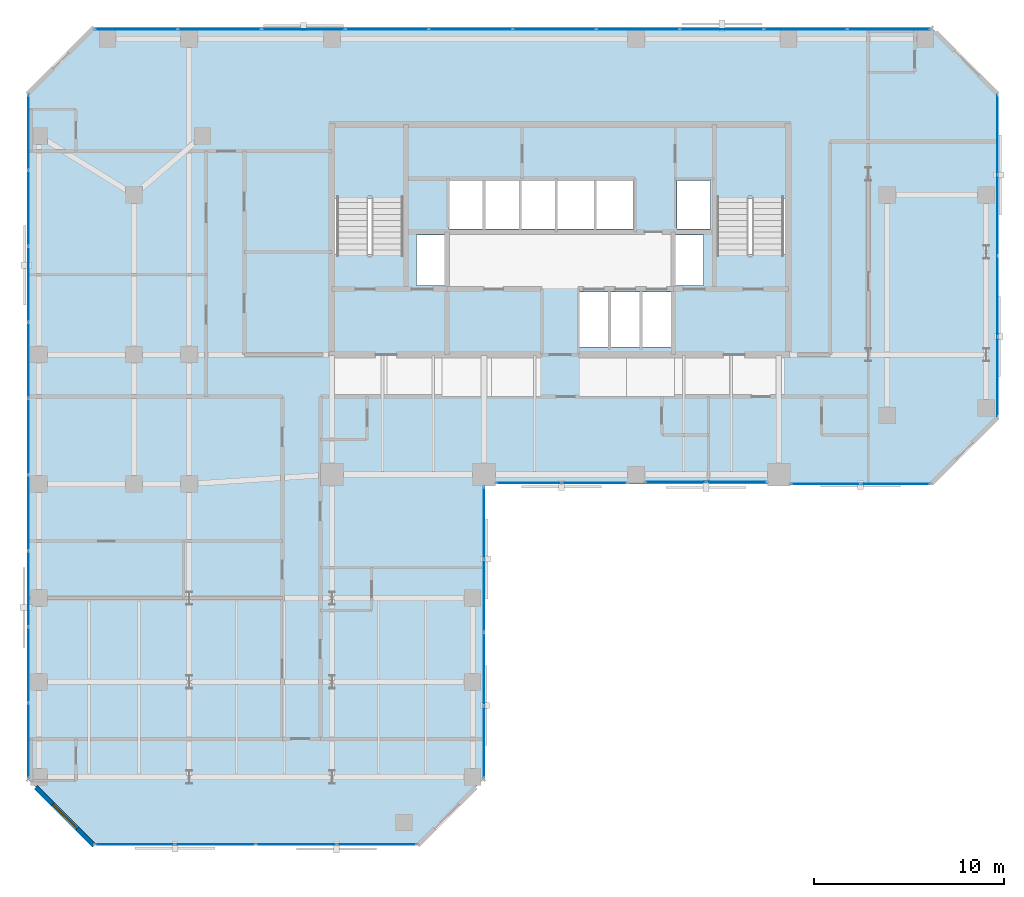
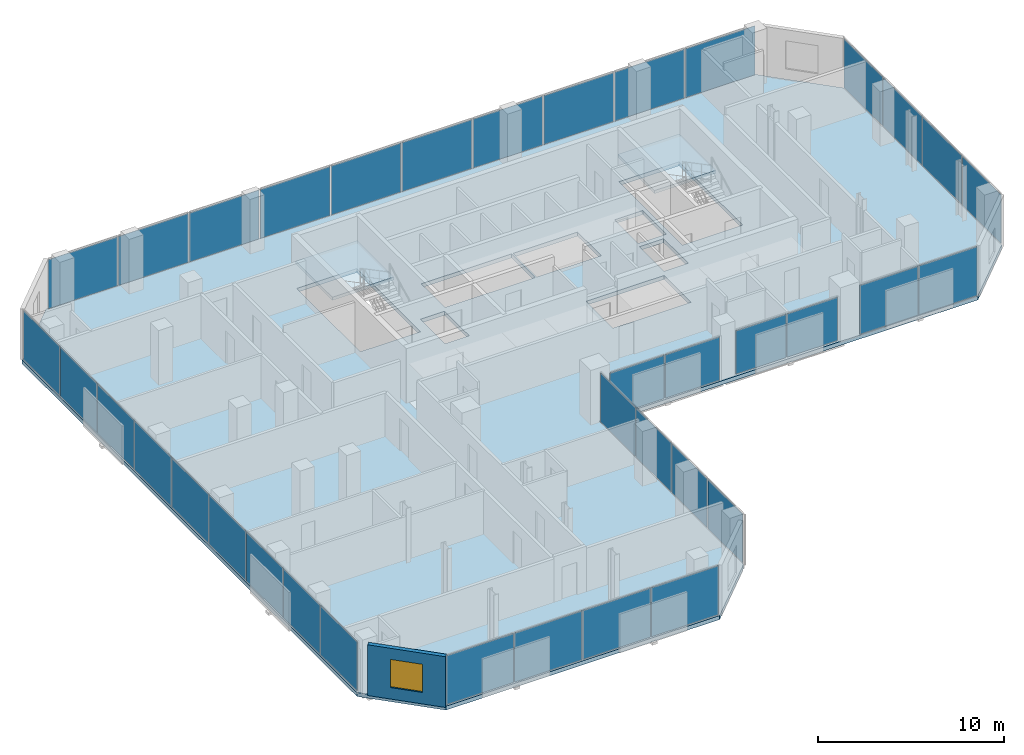
# One storey, part 27 of 33: 37 plates, 3 slabs, 1 wall, 1 window, 1 opening, 10 elements without a shape of their own.
"""IFC4 building model written with IfcOpenShell, lengths in metres."""

from ifc_helpers import new_model, si_unit, direction, frame, frame_2d, origin, origin_2d, place, context, subcontext, project, spatial, polyline, rectangle, outline, extrude, material, layer, layer_set, type_object, element, fill, aggregate, save


model = new_model("IFC4")

# Units and contexts
model_context = context("Model", 3, precision=1e-05, world=origin(), true_north=direction((0.0, 1.0)))
body_context = subcontext(model_context, "Body", "Model", "MODEL_VIEW")
ifc_project = project(units=[si_unit("LENGTHUNIT", "METRE"), si_unit("AREAUNIT", "SQUARE_METRE"), si_unit("VOLUMEUNIT", "CUBIC_METRE"), si_unit("PLANEANGLEUNIT", "RADIAN"), si_unit("MASSUNIT", "GRAM", prefix="KILO")], contexts=[model_context])

# Site, building, storey
site_placement = place(None, origin())
site = spatial("IfcSite", under=ifc_project, at=site_placement, CompositionType="ELEMENT")
building_placement = place(site_placement, origin())
building = spatial("IfcBuilding", under=site, at=building_placement, Name="Catumbela Crestline Tower", CompositionType="ELEMENT")
storey_placement = place(building_placement, frame((0.0, 0.0, 100.8)))
storey = spatial("IfcBuildingStorey", under=building, at=storey_placement, Name="L25", CompositionType="ELEMENT", Elevation=100.8)

# Curtain wall, plates
ifc_material_1 = material(Name="Aluminium alloy AW-6060-T66", Category="aluminium")
ifc_layer_1 = layer(ifc_material_1, 0.18, Name="Aluminium alloy AW-6060-T66")
ifc_layer_set_1 = layer_set([ifc_layer_1], Name="Aluminium alloy AW-6060-T66")
curtain_wall_type = type_object("IfcCurtainWallType", Name="CWU-Z2", PredefinedType="USERDEFINED", material=ifc_layer_set_1)
curtain_wall_1_placement = place(storey_placement, origin())
curtain_wall_1 = element("IfcCurtainWall", 1, at=curtain_wall_1_placement, inside=storey, type_object=curtain_wall_type, Name="L25 Unitised Curtain Wall CW-L25-E0S1", ObjectType="UNITISED", PredefinedType="USERDEFINED")
ifc_material_2 = material(Name="Low-E laminated solar-control double glazing", Category="glass")
ifc_layer_2 = layer(ifc_material_2, 0.036, Name="Low-E laminated solar-control double glazing")
ifc_layer_set_2 = layer_set([ifc_layer_2], Name="Low-E laminated solar-control double glazing")
plate_type = type_object("IfcPlateType", Name="PNL-GLZ-Z2", PredefinedType="CURTAIN_PANEL", material=ifc_layer_set_2)
plate_1_placement = place(storey_placement, frame((5.6412, 5.05, 0.06), z_axis=(0.0, 0.0, 1.0), x_axis=(1.0, 0.0, 0.0)))
plate_1 = element("IfcPlate", 2, at=plate_1_placement, type_object=plate_type, Name="CWU-Z2 panel 1.1", PredefinedType="CURTAIN_PANEL", context=body_context, shape_type="SweptSolid", body=[
    extrude(rectangle(XDim=4.1525, YDim=0.034, at=origin_2d()), origin(), (0.0, 0.0, 1.0), 3.21),
])
plate_2_placement = place(storey_placement, frame((9.875, 5.05, 0.06), z_axis=(0.0, 0.0, 1.0), x_axis=(1.0, 0.0, 0.0)))
plate_2 = element("IfcPlate", 3, at=plate_2_placement, type_object=plate_type, Name="CWU-Z2 panel 2.1", PredefinedType="CURTAIN_PANEL", context=body_context, shape_type="SweptSolid", body=[
    extrude(rectangle(XDim=4.185, YDim=0.034, at=origin_2d()), origin(), (0.0, 0.0, 1.0), 3.21),
])
plate_3_placement = place(storey_placement, frame((14.125, 5.05, 0.06), z_axis=(0.0, 0.0, 1.0), x_axis=(1.0, 0.0, 0.0)))
plate_3 = element("IfcPlate", 4, at=plate_3_placement, type_object=plate_type, Name="CWU-Z2 panel 3.1", PredefinedType="CURTAIN_PANEL", context=body_context, shape_type="SweptSolid", body=[
    extrude(rectangle(XDim=4.185, YDim=0.034, at=origin_2d()), origin(), (0.0, 0.0, 1.0), 3.21),
])
plate_4_placement = place(storey_placement, frame((18.3588, 5.05, 0.06), z_axis=(0.0, 0.0, 1.0), x_axis=(1.0, 0.0, 0.0)))
plate_4 = element("IfcPlate", 5, at=plate_4_placement, type_object=plate_type, Name="CWU-Z2 panel 4.1", PredefinedType="CURTAIN_PANEL", context=body_context, shape_type="SweptSolid", body=[
    extrude(rectangle(XDim=4.1525, YDim=0.034, at=origin_2d()), origin(), (0.0, 0.0, 1.0), 3.21),
])
aggregate(curtain_wall_1, [plate_1, plate_2, plate_3, plate_4])

curtain_wall_2_placement = place(storey_placement, origin())
curtain_wall_2 = element("IfcCurtainWall", 6, at=curtain_wall_2_placement, inside=storey, type_object=curtain_wall_type, Name="L25 Unitised Curtain Wall CW-L25-E2S1", ObjectType="UNITISED", PredefinedType="USERDEFINED")
plate_5_placement = place(storey_placement, frame((24.0, 10.4412, 0.06), z_axis=(0.0, 0.0, 1.0), x_axis=(0.0, 1.0, 0.0)))
plate_5 = element("IfcPlate", 7, at=plate_5_placement, type_object=plate_type, Name="CWU-Z2 panel 1.1", PredefinedType="CURTAIN_PANEL", context=body_context, shape_type="SweptSolid", body=[
    extrude(rectangle(XDim=3.7525, YDim=0.034, at=origin_2d()), origin(), (0.0, 0.0, 1.0), 3.21),
])
plate_6_placement = place(storey_placement, frame((24.0, 14.275, 0.06), z_axis=(0.0, 0.0, 1.0), x_axis=(0.0, 1.0, 0.0)))
plate_6 = element("IfcPlate", 8, at=plate_6_placement, type_object=plate_type, Name="CWU-Z2 panel 2.1", PredefinedType="CURTAIN_PANEL", context=body_context, shape_type="SweptSolid", body=[
    extrude(rectangle(XDim=3.785, YDim=0.034, at=origin_2d()), origin(), (0.0, 0.0, 1.0), 3.21),
])
plate_7_placement = place(storey_placement, frame((24.0, 18.125, 0.06), z_axis=(0.0, 0.0, 1.0), x_axis=(0.0, 1.0, 0.0)))
plate_7 = element("IfcPlate", 9, at=plate_7_placement, type_object=plate_type, Name="CWU-Z2 panel 3.1", PredefinedType="CURTAIN_PANEL", context=body_context, shape_type="SweptSolid", body=[
    extrude(rectangle(XDim=3.785, YDim=0.034, at=origin_2d()), origin(), (0.0, 0.0, 1.0), 3.21),
])
plate_8_placement = place(storey_placement, frame((24.0, 21.9587, 0.06), z_axis=(0.0, 0.0, 1.0), x_axis=(0.0, 1.0, 0.0)))
plate_8 = element("IfcPlate", 10, at=plate_8_placement, type_object=plate_type, Name="CWU-Z2 panel 4.1", PredefinedType="CURTAIN_PANEL", context=body_context, shape_type="SweptSolid", body=[
    extrude(rectangle(XDim=3.7525, YDim=0.034, at=origin_2d()), origin(), (0.0, 0.0, 1.0), 3.21),
])
aggregate(curtain_wall_2, [plate_5, plate_6, plate_7, plate_8])

curtain_wall_3_placement = place(storey_placement, origin())
curtain_wall_3 = element("IfcCurtainWall", 11, at=curtain_wall_3_placement, inside=storey, type_object=curtain_wall_type, Name="L25 Unitised Curtain Wall CW-L25-E3S1", ObjectType="UNITISED", PredefinedType="USERDEFINED")
plate_9_placement = place(storey_placement, frame((26.3538, 24.05, 0.06), z_axis=(0.0, 0.0, 1.0), x_axis=(1.0, 0.0, 0.0)))
plate_9 = element("IfcPlate", 12, at=plate_9_placement, type_object=plate_type, Name="CWU-Z2 panel 1.1", PredefinedType="CURTAIN_PANEL", context=body_context, shape_type="SweptSolid", body=[
    extrude(rectangle(XDim=3.3775, YDim=0.034, at=origin_2d()), origin(), (0.0, 0.0, 1.0), 2.84),
])
plate_10_placement = place(storey_placement, frame((29.7962, 24.05, 0.06), z_axis=(0.0, 0.0, 1.0), x_axis=(1.0, 0.0, 0.0)))
plate_10 = element("IfcPlate", 13, at=plate_10_placement, type_object=plate_type, Name="CWU-Z2 panel 2.1", PredefinedType="CURTAIN_PANEL", context=body_context, shape_type="SweptSolid", body=[
    extrude(rectangle(XDim=3.3775, YDim=0.034, at=origin_2d()), origin(), (0.0, 0.0, 1.0), 2.84),
])
aggregate(curtain_wall_3, [plate_9, plate_10])

curtain_wall_4_placement = place(storey_placement, origin())
curtain_wall_4 = element("IfcCurtainWall", 14, at=curtain_wall_4_placement, inside=storey, type_object=curtain_wall_type, Name="L25 Unitised Curtain Wall CW-L25-E3S2", ObjectType="UNITISED", PredefinedType="USERDEFINED")
plate_11_placement = place(storey_placement, frame((34.0788, 24.1, 0.06), z_axis=(0.0, 0.0, 1.0), x_axis=(1.0, 0.0, 0.0)))
plate_11 = element("IfcPlate", 15, at=plate_11_placement, type_object=plate_type, Name="CWU-Z2 panel 1.1", PredefinedType="CURTAIN_PANEL", context=body_context, shape_type="SweptSolid", body=[
    extrude(rectangle(XDim=3.1275, YDim=0.034, at=origin_2d()), origin(), (0.0, 0.0, 1.0), 2.84),
])
plate_12_placement = place(storey_placement, frame((37.2712, 24.1, 0.06), z_axis=(0.0, 0.0, 1.0), x_axis=(1.0, 0.0, 0.0)))
plate_12 = element("IfcPlate", 16, at=plate_12_placement, type_object=plate_type, Name="CWU-Z2 panel 2.1", PredefinedType="CURTAIN_PANEL", context=body_context, shape_type="SweptSolid", body=[
    extrude(rectangle(XDim=3.1275, YDim=0.034, at=origin_2d()), origin(), (0.0, 0.0, 1.0), 2.84),
])
aggregate(curtain_wall_4, [plate_11, plate_12])

curtain_wall_5_placement = place(storey_placement, origin())
curtain_wall_5 = element("IfcCurtainWall", 17, at=curtain_wall_5_placement, inside=storey, type_object=curtain_wall_type, Name="L25 Unitised Curtain Wall CW-L25-E3S3", ObjectType="UNITISED", PredefinedType="USERDEFINED")
plate_13_placement = place(storey_placement, frame((41.9662, 24.0, 0.06), z_axis=(0.0, 0.0, 1.0), x_axis=(1.0, 0.0, 0.0)))
plate_13 = element("IfcPlate", 18, at=plate_13_placement, type_object=plate_type, Name="CWU-Z2 panel 1.1", PredefinedType="CURTAIN_PANEL", context=body_context, shape_type="SweptSolid", body=[
    extrude(rectangle(XDim=3.6025, YDim=0.034, at=origin_2d()), origin(), (0.0, 0.0, 1.0), 3.21),
])
plate_14_placement = place(storey_placement, frame((45.6338, 24.0, 0.06), z_axis=(0.0, 0.0, 1.0), x_axis=(1.0, 0.0, 0.0)))
plate_14 = element("IfcPlate", 19, at=plate_14_placement, type_object=plate_type, Name="CWU-Z2 panel 2.1", PredefinedType="CURTAIN_PANEL", context=body_context, shape_type="SweptSolid", body=[
    extrude(rectangle(XDim=3.6025, YDim=0.034, at=origin_2d()), origin(), (0.0, 0.0, 1.0), 3.21),
])
aggregate(curtain_wall_5, [plate_13, plate_14])

curtain_wall_6_placement = place(storey_placement, origin())
curtain_wall_6 = element("IfcCurtainWall", 20, at=curtain_wall_6_placement, inside=storey, type_object=curtain_wall_type, Name="L25 Unitised Curtain Wall CW-L25-E5S1", ObjectType="UNITISED", PredefinedType="USERDEFINED")
plate_15_placement = place(storey_placement, frame((51.0, 29.6412, 0.06), z_axis=(0.0, 0.0, 1.0), x_axis=(0.0, 1.0, 0.0)))
plate_15 = element("IfcPlate", 21, at=plate_15_placement, type_object=plate_type, Name="CWU-Z2 panel 1.1", PredefinedType="CURTAIN_PANEL", context=body_context, shape_type="SweptSolid", body=[
    extrude(rectangle(XDim=4.1525, YDim=0.034, at=origin_2d()), origin(), (0.0, 0.0, 1.0), 3.21),
])
plate_16_placement = place(storey_placement, frame((51.0, 33.875, 0.06), z_axis=(0.0, 0.0, 1.0), x_axis=(0.0, 1.0, 0.0)))
plate_16 = element("IfcPlate", 22, at=plate_16_placement, type_object=plate_type, Name="CWU-Z2 panel 2.1", PredefinedType="CURTAIN_PANEL", context=body_context, shape_type="SweptSolid", body=[
    extrude(rectangle(XDim=4.185, YDim=0.034, at=origin_2d()), origin(), (0.0, 0.0, 1.0), 3.21),
])
plate_17_placement = place(storey_placement, frame((51.0, 38.125, 0.06), z_axis=(0.0, 0.0, 1.0), x_axis=(0.0, 1.0, 0.0)))
plate_17 = element("IfcPlate", 23, at=plate_17_placement, type_object=plate_type, Name="CWU-Z2 panel 3.1", PredefinedType="CURTAIN_PANEL", context=body_context, shape_type="SweptSolid", body=[
    extrude(rectangle(XDim=4.185, YDim=0.034, at=origin_2d()), origin(), (0.0, 0.0, 1.0), 3.21),
])
plate_18_placement = place(storey_placement, frame((51.0, 42.3588, 0.06), z_axis=(0.0, 0.0, 1.0), x_axis=(0.0, 1.0, 0.0)))
plate_18 = element("IfcPlate", 24, at=plate_18_placement, type_object=plate_type, Name="CWU-Z2 panel 4.1", PredefinedType="CURTAIN_PANEL", context=body_context, shape_type="SweptSolid", body=[
    extrude(rectangle(XDim=4.1525, YDim=0.034, at=origin_2d()), origin(), (0.0, 0.0, 1.0), 3.21),
])
aggregate(curtain_wall_6, [plate_15, plate_16, plate_17, plate_18])

curtain_wall_7_placement = place(storey_placement, origin())
curtain_wall_7 = element("IfcCurtainWall", 25, at=curtain_wall_7_placement, inside=storey, type_object=curtain_wall_type, Name="L25 Unitised Curtain Wall CW-L25-E7S1", ObjectType="UNITISED", PredefinedType="USERDEFINED")
plate_19_placement = place(storey_placement, frame((45.2838, 47.9, 0.06), z_axis=(0.0, 0.0, 1.0), x_axis=(-1.0, 0.0, 0.0)))
plate_19 = element("IfcPlate", 26, at=plate_19_placement, type_object=plate_type, Name="CWU-Z2 panel 1.1", PredefinedType="CURTAIN_PANEL", context=body_context, shape_type="SweptSolid", body=[
    extrude(rectangle(XDim=4.3025, YDim=0.034, at=origin_2d()), origin(), (0.0, 0.0, 1.0), 3.21),
])
plate_20_placement = place(storey_placement, frame((40.9, 47.9, 0.06), z_axis=(0.0, 0.0, 1.0), x_axis=(-1.0, 0.0, 0.0)))
plate_20 = element("IfcPlate", 27, at=plate_20_placement, type_object=plate_type, Name="CWU-Z2 panel 2.1", PredefinedType="CURTAIN_PANEL", context=body_context, shape_type="SweptSolid", body=[
    extrude(rectangle(XDim=4.335, YDim=0.034, at=origin_2d()), origin(), (0.0, 0.0, 1.0), 3.21),
])
plate_21_placement = place(storey_placement, frame((36.5, 47.9, 0.06), z_axis=(0.0, 0.0, 1.0), x_axis=(-1.0, 0.0, 0.0)))
plate_21 = element("IfcPlate", 28, at=plate_21_placement, type_object=plate_type, Name="CWU-Z2 panel 3.1", PredefinedType="CURTAIN_PANEL", context=body_context, shape_type="SweptSolid", body=[
    extrude(rectangle(XDim=4.335, YDim=0.034, at=origin_2d()), origin(), (0.0, 0.0, 1.0), 3.21),
])
plate_22_placement = place(storey_placement, frame((32.1, 47.9, 0.06), z_axis=(0.0, 0.0, 1.0), x_axis=(-1.0, 0.0, 0.0)))
plate_22 = element("IfcPlate", 29, at=plate_22_placement, type_object=plate_type, Name="CWU-Z2 panel 4.1", PredefinedType="CURTAIN_PANEL", context=body_context, shape_type="SweptSolid", body=[
    extrude(rectangle(XDim=4.335, YDim=0.034, at=origin_2d()), origin(), (0.0, 0.0, 1.0), 3.21),
])
plate_23_placement = place(storey_placement, frame((27.7, 47.9, 0.06), z_axis=(0.0, 0.0, 1.0), x_axis=(-1.0, 0.0, 0.0)))
plate_23 = element("IfcPlate", 30, at=plate_23_placement, type_object=plate_type, Name="CWU-Z2 panel 5.1", PredefinedType="CURTAIN_PANEL", context=body_context, shape_type="SweptSolid", body=[
    extrude(rectangle(XDim=4.335, YDim=0.034, at=origin_2d()), origin(), (0.0, 0.0, 1.0), 3.21),
])
plate_24_placement = place(storey_placement, frame((23.3, 47.9, 0.06), z_axis=(0.0, 0.0, 1.0), x_axis=(-1.0, 0.0, 0.0)))
plate_24 = element("IfcPlate", 31, at=plate_24_placement, type_object=plate_type, Name="CWU-Z2 panel 6.1", PredefinedType="CURTAIN_PANEL", context=body_context, shape_type="SweptSolid", body=[
    extrude(rectangle(XDim=4.335, YDim=0.034, at=origin_2d()), origin(), (0.0, 0.0, 1.0), 3.21),
])
plate_25_placement = place(storey_placement, frame((18.9, 47.9, 0.06), z_axis=(0.0, 0.0, 1.0), x_axis=(-1.0, 0.0, 0.0)))
plate_25 = element("IfcPlate", 32, at=plate_25_placement, type_object=plate_type, Name="CWU-Z2 panel 7.1", PredefinedType="CURTAIN_PANEL", context=body_context, shape_type="SweptSolid", body=[
    extrude(rectangle(XDim=4.335, YDim=0.034, at=origin_2d()), origin(), (0.0, 0.0, 1.0), 3.21),
])
plate_26_placement = place(storey_placement, frame((14.5, 47.9, 0.06), z_axis=(0.0, 0.0, 1.0), x_axis=(-1.0, 0.0, 0.0)))
plate_26 = element("IfcPlate", 33, at=plate_26_placement, type_object=plate_type, Name="CWU-Z2 panel 8.1", PredefinedType="CURTAIN_PANEL", context=body_context, shape_type="SweptSolid", body=[
    extrude(rectangle(XDim=4.335, YDim=0.034, at=origin_2d()), origin(), (0.0, 0.0, 1.0), 3.21),
])
plate_27_placement = place(storey_placement, frame((10.1, 47.9, 0.06), z_axis=(0.0, 0.0, 1.0), x_axis=(-1.0, 0.0, 0.0)))
plate_27 = element("IfcPlate", 34, at=plate_27_placement, type_object=plate_type, Name="CWU-Z2 panel 9.1", PredefinedType="CURTAIN_PANEL", context=body_context, shape_type="SweptSolid", body=[
    extrude(rectangle(XDim=4.335, YDim=0.034, at=origin_2d()), origin(), (0.0, 0.0, 1.0), 3.21),
])
plate_28_placement = place(storey_placement, frame((5.7162, 47.9, 0.06), z_axis=(0.0, 0.0, 1.0), x_axis=(-1.0, 0.0, 0.0)))
plate_28 = element("IfcPlate", 35, at=plate_28_placement, type_object=plate_type, Name="CWU-Z2 panel 10.1", PredefinedType="CURTAIN_PANEL", context=body_context, shape_type="SweptSolid", body=[
    extrude(rectangle(XDim=4.3025, YDim=0.034, at=origin_2d()), origin(), (0.0, 0.0, 1.0), 3.21),
])
aggregate(curtain_wall_7, [plate_19, plate_20, plate_21, plate_22, plate_23, plate_24, plate_25, plate_26, plate_27, plate_28])

curtain_wall_8_placement = place(storey_placement, origin())
curtain_wall_8 = element("IfcCurtainWall", 36, at=curtain_wall_8_placement, inside=storey, type_object=curtain_wall_type, Name="L25 Unitised Curtain Wall CW-L25-E9S1", ObjectType="UNITISED", PredefinedType="USERDEFINED")
plate_29_placement = place(storey_placement, frame((0.05, 42.4838, 0.06), z_axis=(0.0, 0.0, 1.0), x_axis=(0.0, -1.0, 0.0)))
plate_29 = element("IfcPlate", 37, at=plate_29_placement, type_object=plate_type, Name="CWU-Z2 panel 1.1", PredefinedType="CURTAIN_PANEL", context=body_context, shape_type="SweptSolid", body=[
    extrude(rectangle(XDim=3.9025, YDim=0.034, at=origin_2d()), origin(), (0.0, 0.0, 1.0), 3.21),
])
plate_30_placement = place(storey_placement, frame((0.05, 38.5, 0.06), z_axis=(0.0, 0.0, 1.0), x_axis=(0.0, -1.0, 0.0)))
plate_30 = element("IfcPlate", 38, at=plate_30_placement, type_object=plate_type, Name="CWU-Z2 panel 2.1", PredefinedType="CURTAIN_PANEL", context=body_context, shape_type="SweptSolid", body=[
    extrude(rectangle(XDim=3.935, YDim=0.034, at=origin_2d()), origin(), (0.0, 0.0, 1.0), 3.21),
])
plate_31_placement = place(storey_placement, frame((0.05, 34.5, 0.06), z_axis=(0.0, 0.0, 1.0), x_axis=(0.0, -1.0, 0.0)))
plate_31 = element("IfcPlate", 39, at=plate_31_placement, type_object=plate_type, Name="CWU-Z2 panel 3.1", PredefinedType="CURTAIN_PANEL", context=body_context, shape_type="SweptSolid", body=[
    extrude(rectangle(XDim=3.935, YDim=0.034, at=origin_2d()), origin(), (0.0, 0.0, 1.0), 3.21),
])
plate_32_placement = place(storey_placement, frame((0.05, 30.5, 0.06), z_axis=(0.0, 0.0, 1.0), x_axis=(0.0, -1.0, 0.0)))
plate_32 = element("IfcPlate", 40, at=plate_32_placement, type_object=plate_type, Name="CWU-Z2 panel 4.1", PredefinedType="CURTAIN_PANEL", context=body_context, shape_type="SweptSolid", body=[
    extrude(rectangle(XDim=3.935, YDim=0.034, at=origin_2d()), origin(), (0.0, 0.0, 1.0), 3.21),
])
plate_33_placement = place(storey_placement, frame((0.05, 26.5, 0.06), z_axis=(0.0, 0.0, 1.0), x_axis=(0.0, -1.0, 0.0)))
plate_33 = element("IfcPlate", 41, at=plate_33_placement, type_object=plate_type, Name="CWU-Z2 panel 5.1", PredefinedType="CURTAIN_PANEL", context=body_context, shape_type="SweptSolid", body=[
    extrude(rectangle(XDim=3.935, YDim=0.034, at=origin_2d()), origin(), (0.0, 0.0, 1.0), 3.21),
])
plate_34_placement = place(storey_placement, frame((0.05, 22.5, 0.06), z_axis=(0.0, 0.0, 1.0), x_axis=(0.0, -1.0, 0.0)))
plate_34 = element("IfcPlate", 42, at=plate_34_placement, type_object=plate_type, Name="CWU-Z2 panel 6.1", PredefinedType="CURTAIN_PANEL", context=body_context, shape_type="SweptSolid", body=[
    extrude(rectangle(XDim=3.935, YDim=0.034, at=origin_2d()), origin(), (0.0, 0.0, 1.0), 3.21),
])
plate_35_placement = place(storey_placement, frame((0.05, 18.5, 0.06), z_axis=(0.0, 0.0, 1.0), x_axis=(0.0, -1.0, 0.0)))
plate_35 = element("IfcPlate", 43, at=plate_35_placement, type_object=plate_type, Name="CWU-Z2 panel 7.1", PredefinedType="CURTAIN_PANEL", context=body_context, shape_type="SweptSolid", body=[
    extrude(rectangle(XDim=3.935, YDim=0.034, at=origin_2d()), origin(), (0.0, 0.0, 1.0), 3.21),
])
plate_36_placement = place(storey_placement, frame((0.05, 14.5, 0.06), z_axis=(0.0, 0.0, 1.0), x_axis=(0.0, -1.0, 0.0)))
plate_36 = element("IfcPlate", 44, at=plate_36_placement, type_object=plate_type, Name="CWU-Z2 panel 8.1", PredefinedType="CURTAIN_PANEL", context=body_context, shape_type="SweptSolid", body=[
    extrude(rectangle(XDim=3.935, YDim=0.034, at=origin_2d()), origin(), (0.0, 0.0, 1.0), 3.21),
])
plate_37_placement = place(storey_placement, frame((0.05, 10.5162, 0.06), z_axis=(0.0, 0.0, 1.0), x_axis=(0.0, -1.0, 0.0)))
plate_37 = element("IfcPlate", 45, at=plate_37_placement, type_object=plate_type, Name="CWU-Z2 panel 9.1", PredefinedType="CURTAIN_PANEL", context=body_context, shape_type="SweptSolid", body=[
    extrude(rectangle(XDim=3.9025, YDim=0.034, at=origin_2d()), origin(), (0.0, 0.0, 1.0), 3.21),
])
aggregate(curtain_wall_8, [plate_29, plate_30, plate_31, plate_32, plate_33, plate_34, plate_35, plate_36, plate_37])

# Stair, slab
ifc_material_3 = material(Name="Concrete C45/55", Category="concrete")
stair_type = type_object("IfcStairType", Name="ST-DLG", PredefinedType="HALF_TURN_STAIR", material=ifc_material_3)
stair_1_placement = place(storey_placement, origin())
stair_1 = element("IfcStair", 46, at=stair_1_placement, inside=storey, type_object=stair_type, Name="L25 West Core Pressurised Exit Stair ST-01", PredefinedType="HALF_TURN_STAIR")
ifc_layer_3 = layer(ifc_material_3, 0.2, Name="Concrete C45/55")
ifc_layer_set_3 = layer_set([ifc_layer_3], Name="Concrete C45/55")
slab_type_1 = type_object("IfcSlabType", Name="SL-LND", PredefinedType="LANDING", material=ifc_layer_set_3)
slab_1_placement = place(storey_placement, frame((0.0, 0.0, 1.6)))
slab_1 = element("IfcSlab", 47, at=slab_1_placement, type_object=slab_type_1, Name="ST-01 landing 1", PredefinedType="LANDING", context=body_context, shape_type="SweptSolid", body=[
    extrude(outline(polyline([(19.91, 39.02), (19.91, 42.96), (16.09, 42.96), (16.09, 39.02), (19.91, 39.02)])), origin(), (0.0, 0.0, 1.0), 0.2),
])
aggregate(stair_1, [slab_1])

stair_2_placement = place(storey_placement, origin())
stair_2 = element("IfcStair", 48, at=stair_2_placement, inside=storey, type_object=stair_type, Name="L25 East Core Pressurised Exit Stair ST-02", PredefinedType="HALF_TURN_STAIR")
slab_2_placement = place(storey_placement, frame((0.0, 0.0, 1.6)))
slab_2 = element("IfcSlab", 49, at=slab_2_placement, type_object=slab_type_1, Name="ST-02 landing 1", PredefinedType="LANDING", context=body_context, shape_type="SweptSolid", body=[
    extrude(outline(polyline([(39.91, 39.02), (39.91, 42.96), (36.09, 42.96), (36.09, 39.02), (39.91, 39.02)])), origin(), (0.0, 0.0, 1.0), 0.2),
])
aggregate(stair_2, [slab_2])

# Slab
ifc_layer_4 = layer(ifc_material_3, 0.26, Name="Concrete C45/55")
ifc_layer_set_4 = layer_set([ifc_layer_4], Name="Concrete C45/55")
slab_type_2 = type_object("IfcSlabType", Name="SL-260", PredefinedType="FLOOR", material=ifc_layer_set_4)
slab_3_placement = place(storey_placement, frame((0.0, 0.0, -0.26)))
element("IfcSlab", 50, at=slab_3_placement, inside=storey, type_object=slab_type_2, Name="L25 Structural Floor Slab", PredefinedType="FLOOR", context=body_context, shape_type="SweptSolid", body=[
    extrude(outline(polyline([(3.5, 5.0), (20.5, 5.0), (24.0, 8.5), (24.0, 24.0), (47.5, 24.0), (51.0, 27.5), (51.0, 44.5), (47.5, 48.0), (3.5, 48.0), (0.0, 44.5), (0.0, 8.5), (3.5, 5.0)]), holes=[polyline([(16.13, 36.08), (19.87, 36.08), (19.87, 42.92), (16.13, 42.92), (16.13, 36.08)]), polyline([(36.13, 36.08), (39.87, 36.08), (39.87, 42.92), (36.13, 42.92), (36.13, 36.08)]), polyline([(29.0, 31.2), (33.85, 31.2), (33.85, 34.1), (29.0, 34.1), (29.0, 31.2)]), polyline([(22.15, 37.4), (27.75, 37.4), (27.75, 39.95), (22.15, 39.95), (22.15, 37.4)]), polyline([(27.85, 37.4), (31.85, 37.4), (31.85, 39.95), (27.85, 39.95), (27.85, 37.4)]), polyline([(20.45, 34.45), (21.95, 34.45), (21.95, 37.1), (20.45, 37.1), (20.45, 34.45)]), polyline([(34.05, 34.45), (35.55, 34.45), (35.55, 37.1), (34.05, 37.1), (34.05, 34.45)]), polyline([(34.15, 37.4), (35.9, 37.4), (35.9, 39.95), (34.15, 39.95), (34.15, 37.4)])]), origin(), (0.0, 0.0, 1.0), 0.26),
])

# Wall, opening, window
ifc_material_4 = material(Name="Angolan grey-ochre granite", Category="masonry")
ifc_layer_5 = layer(ifc_material_4, 0.25, Name="Angolan grey-ochre granite")
ifc_layer_set_5 = layer_set([ifc_layer_5], Name="Angolan grey-ochre granite")
wall_type = type_object("IfcWallType", Name="WE-250", PredefinedType="STANDARD", material=ifc_layer_set_5)
wall_placement = place(storey_placement, frame((0.4384, 8.0616, 0.0), z_axis=(0.0, 0.0, 1.0), x_axis=(0.707106781187, -0.707106781187, 0.0)))
wall = element("IfcWall", 51, at=wall_placement, inside=storey, type_object=wall_type, Name="L25 Granite Punched Window Wall 10-2", PredefinedType="STANDARD", context=body_context, shape_type="SweptSolid", body=[
    extrude(rectangle(XDim=4.3298, YDim=0.25, at=frame_2d((2.1649, 0.0))), origin(), (0.0, 0.0, 1.0), 3.33),
])
opening_placement = place(wall_placement, frame((1.2649, 0.0, 0.75)))
opening = element("IfcOpeningElement", 52, at=opening_placement, cuts=wall, Name="Opening WN-01", PredefinedType="OPENING", context=body_context, shape_type="SweptSolid", body=[
    extrude(rectangle(XDim=1.8, YDim=1.85, at=frame_2d((0.9, 0.925))), frame((0.0, 0.135, 0.0), z_axis=(0.0, -1.0, 0.0), x_axis=(1.0, 0.0, 0.0)), (0.0, 0.0, 1.0), 0.27),
])
window_type = type_object("IfcWindowType", Name="WF-1800", PartitioningType="SINGLE_PANEL", PredefinedType="WINDOW", material=ifc_material_2)
window_placement = place(opening_placement, origin())
window = element("IfcWindow", 53, at=window_placement, inside=storey, type_object=window_type, Name="L25 Facade Vision Window 149", OverallHeight=1.85, OverallWidth=1.8, PartitioningType="SINGLE_PANEL", PredefinedType="WINDOW", context=body_context, shape_type="SweptSolid", body=[
    extrude(rectangle(XDim=1.8, YDim=1.85, at=frame_2d((0.9, 0.925))), frame((0.0, 0.03, 0.0), z_axis=(0.0, -1.0, 0.0), x_axis=(1.0, 0.0, 0.0)), (0.0, 0.0, 1.0), 0.06),
])
fill(opening, window)

save(model, "model.ifc")
